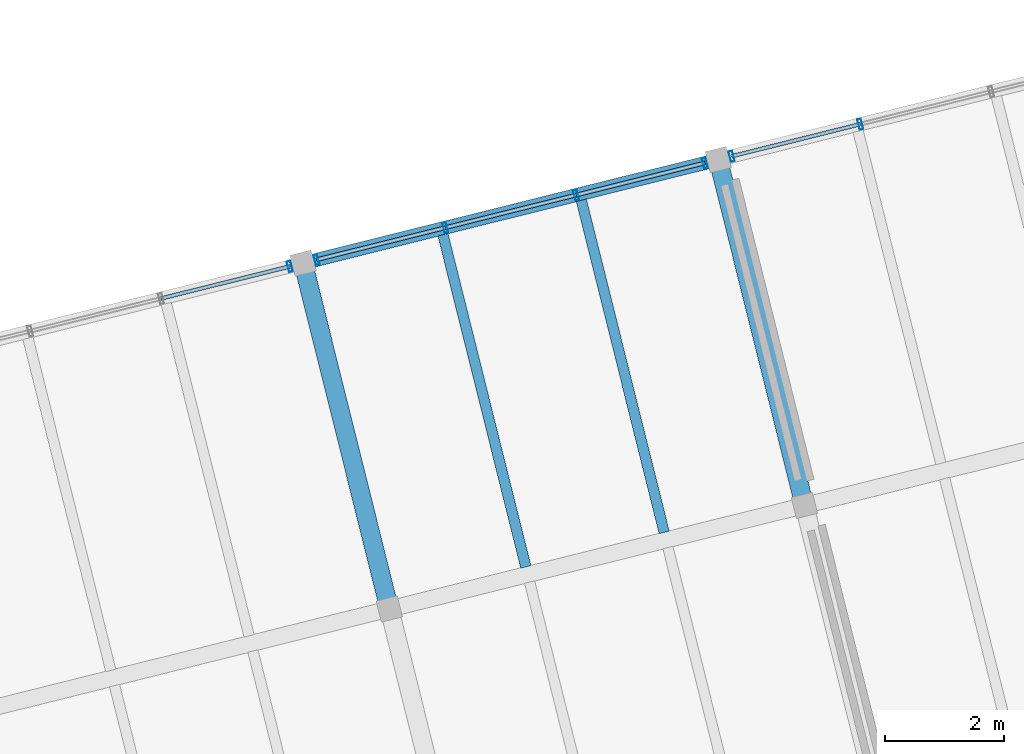
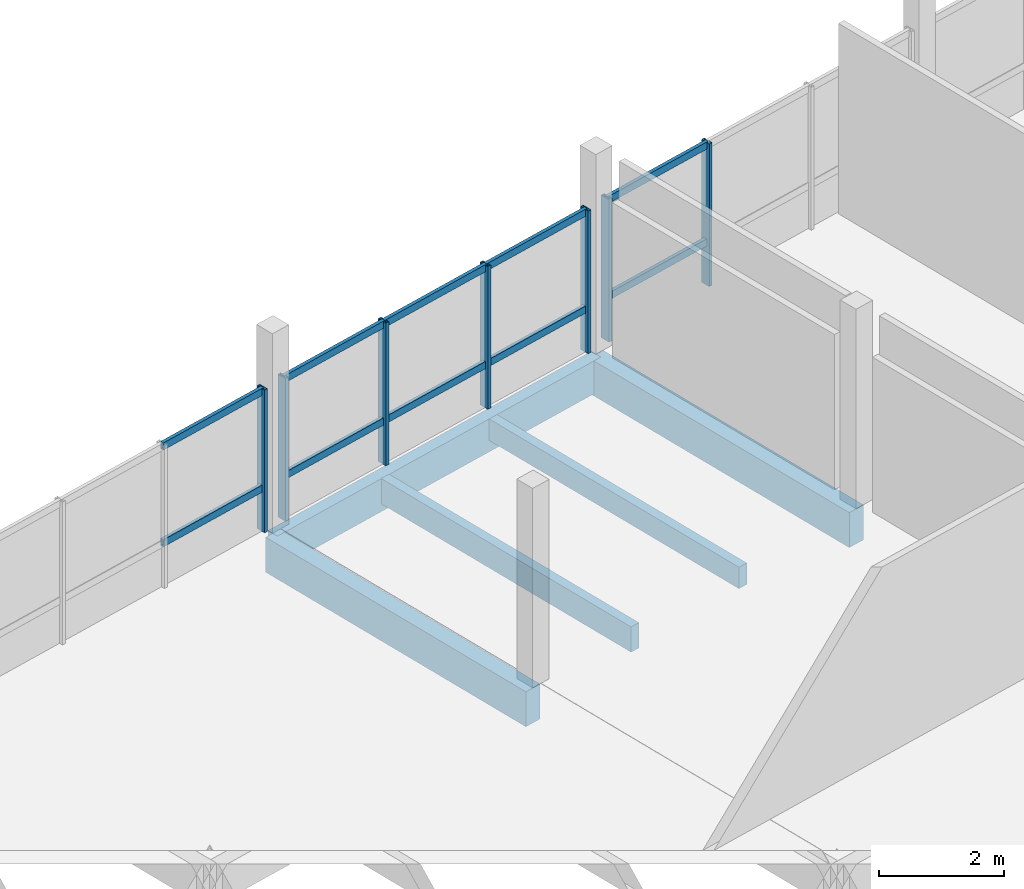
# One storey, part 18 of 28: 17 members, 5 beams, 3 elements without a shape of their own.
"""IFC4 building model written with IfcOpenShell, lengths in metres."""

from ifc_helpers import new_model, si_unit, direction, frame, origin, origin_2d, place, context, subcontext, project, spatial, rectangle, hollow_rectangle, extrude, material, layer, layer_set, material_profile, profile_set, type_object, element, aggregate, save


model = new_model("IFC4")

# Units and contexts
model_context = context("Model", 3, precision=1e-05, world=origin(), true_north=direction((0.0, 1.0)))
body_context = subcontext(model_context, "Body", "Model", "MODEL_VIEW")
ifc_project = project(units=[si_unit("LENGTHUNIT", "METRE"), si_unit("AREAUNIT", "SQUARE_METRE"), si_unit("VOLUMEUNIT", "CUBIC_METRE"), si_unit("PLANEANGLEUNIT", "RADIAN"), si_unit("MASSUNIT", "GRAM", prefix="KILO")], contexts=[model_context])

# Site, building, storey
site_placement = place(None, origin())
site = spatial("IfcSite", under=ifc_project, at=site_placement, CompositionType="ELEMENT")
building_placement = place(site_placement, origin())
building = spatial("IfcBuilding", under=site, at=building_placement, Name="Meriwether Solvik Hall", CompositionType="ELEMENT")
storey_placement = place(building_placement, frame((0.0, 0.0, 37.800048828125)))
storey = spatial("IfcBuildingStorey", under=building, at=storey_placement, Name="L09", CompositionType="ELEMENT", Elevation=37.800048828125)

# Beams
ifc_material_1 = material(Name="Glulam Douglas-Fir 24F-V8 GL28h", Category="wood")
ifc_material_profile_1 = material_profile(ifc_material_1, rectangle(XDim=0.221923828125, YDim=0.64501953125, at=origin_2d()), Name="GLB-222X645")
ifc_profile_set_1 = profile_set([ifc_material_profile_1], Name="Glulam Douglas-Fir 24F-V8 GL28h")
beam_type_1 = type_object("IfcBeamType", Name="BM-GL-222X645", PredefinedType="SPANDREL", material=ifc_profile_set_1)
beam_1_placement = place(storey_placement, frame((74.735107421875, 77.7705078125, -0.50244140625), z_axis=(0.970291911955, 0.241937193493, 0.0), x_axis=(-0.241937193493, 0.970291911955, 0.0)))
element("IfcBeam", 1, at=beam_1_placement, inside=storey, type_object=beam_type_1, Name="Tower Girder TF:T3-T4 (L09)", PredefinedType="SPANDREL", context=body_context, shape_type="SweptSolid", body=[
    extrude(rectangle(XDim=0.221923828125, YDim=0.64501953125, at=origin_2d()), origin(), (0.0, 0.0, 1.0), 7.199951171875),
])
ifc_material_2 = material(Name="Glulam Douglas-Fir 24F-V8 GL28h", Category="wood")
ifc_material_profile_2 = material_profile(ifc_material_2, rectangle(XDim=0.31494140625, YDim=0.68505859375, at=origin_2d()), Name="GLB-315X685")
ifc_profile_set_2 = profile_set([ifc_material_profile_2], Name="Glulam Douglas-Fir 24F-V8 GL28h")
beam_type_2 = type_object("IfcBeamType", Name="BM-GL-315X685", PredefinedType="BEAM", material=ifc_profile_set_2)
for number, where, z_axis, x_axis, name in (
    (2, (76.1865234375, 71.94873046875, -0.5224609375), (-0.241903677572, 0.970300268359, 0.0), (-0.970300268359, -0.241903677572, 0.0), "Tower Girder T3:TE-TF (L09)"),
    (3, (83.172607421875, 73.690673828125, -0.5224609375), (-0.241903677572, 0.970300268359, 0.0), (-0.970300268359, -0.241903677572, 0.0), "Tower Girder T4:TE-TF (L09)"),
):
    element("IfcBeam", number, at=place(storey_placement, frame(where, z_axis=z_axis, x_axis=x_axis)), inside=storey, type_object=beam_type_2, Name=name, PredefinedType="BEAM", context=body_context, shape_type="SweptSolid", body=[
        extrude(rectangle(XDim=0.31494140625, YDim=0.68505859375, at=origin_2d()), origin(), (0.0, 0.0, 1.0), 6.0),
    ])

# Curtain wall, member
ifc_material_3 = material(Name="Thermally Broken Anodised Aluminium 6063-T6 and Low-E Glass", Category="aluminium")
ifc_layer_1 = layer(ifc_material_3, 0.179931640625)
ifc_layer_set_1 = layer_set([ifc_layer_1], Name="Thermally Broken Anodised Aluminium 6063-T6 and Low-E Glass")
curtain_wall_type_1 = type_object("IfcCurtainWallType", Name="CW-UNIT-G", PredefinedType="USERDEFINED", material=ifc_layer_set_1)
curtain_wall_1_placement = place(storey_placement, origin())
curtain_wall_1 = element("IfcCurtainWall", 4, at=curtain_wall_1_placement, inside=storey, type_object=curtain_wall_type_1, Name="Curtain Wall E6_B1 (L09)", ObjectType="UNITISED CURTAIN WALL", PredefinedType="USERDEFINED")
ifc_material_4 = material(Name="Anodised Aluminium 6063-T6", Category="aluminium")
ifc_material_profile_3 = material_profile(ifc_material_4, hollow_rectangle(XDim=0.06494140625, YDim=0.179931640625, WallThickness=0.00439453125, at=origin_2d()), Name="CWM-65X180")
ifc_profile_set_3 = profile_set([ifc_material_profile_3], Name="Anodised Aluminium 6063-T6")
member_type_1 = type_object("IfcMemberType", Name="CW-MUL-65X180", PredefinedType="MULLION", material=ifc_profile_set_3)
member_1_placement = place(storey_placement, frame((74.509521484375, 77.71435546875, 0.0), z_axis=(0.0, 0.0, 1.0), x_axis=(0.970295725693, 0.241921897937, 0.0)))
member_1 = element("IfcMember", 5, at=member_1_placement, type_object=member_type_1, Name="Curtain Wall Mullion 4", PredefinedType="MULLION", context=body_context, shape_type="SweptSolid", body=[
    extrude(hollow_rectangle(XDim=0.06494140625, YDim=0.179931640625, WallThickness=0.00439453125, at=origin_2d()), origin(), (0.0, 0.0, 1.0), 2.7900390625),
])

# Curtain wall, members
ifc_material_5 = material(Name="Thermally Broken Anodised Aluminium 6063-T6 and Low-E Glass", Category="aluminium")
ifc_layer_2 = layer(ifc_material_5, 0.179931640625)
ifc_layer_set_2 = layer_set([ifc_layer_2], Name="Thermally Broken Anodised Aluminium 6063-T6 and Low-E Glass")
curtain_wall_type_2 = type_object("IfcCurtainWallType", Name="CW-UNIT-A", PredefinedType="USERDEFINED", material=ifc_layer_set_2)
curtain_wall_2_placement = place(storey_placement, origin())
curtain_wall_2 = element("IfcCurtainWall", 6, at=curtain_wall_2_placement, inside=storey, type_object=curtain_wall_type_2, Name="Curtain Wall E6_B2 (L09)", ObjectType="UNITISED CURTAIN WALL", PredefinedType="USERDEFINED")
member_2_placement = place(storey_placement, frame((74.960693359375, 77.82666015625, 0.0), z_axis=(0.0, 0.0, 1.0), x_axis=(0.970295725693, 0.241921897937, 0.0)))
member_2 = element("IfcMember", 7, at=member_2_placement, type_object=member_type_1, Name="Curtain Wall Mullion 1", PredefinedType="MULLION", context=body_context, shape_type="SweptSolid", body=[
    extrude(hollow_rectangle(XDim=0.06494140625, YDim=0.179931640625, WallThickness=0.00439453125, at=origin_2d()), origin(), (0.0, 0.0, 1.0), 2.7900390625),
])
member_3_placement = place(storey_placement, frame((77.126708984375, 78.36669921875, 0.0), z_axis=(0.0, 0.0, 1.0), x_axis=(0.970295725693, 0.241921897937, 0.0)))
member_3 = element("IfcMember", 8, at=member_3_placement, type_object=member_type_1, Name="Curtain Wall Mullion 2", PredefinedType="MULLION", context=body_context, shape_type="SweptSolid", body=[
    extrude(hollow_rectangle(XDim=0.06494140625, YDim=0.179931640625, WallThickness=0.00439453125, at=origin_2d()), origin(), (0.0, 0.0, 1.0), 2.7900390625),
])
member_4_placement = place(storey_placement, frame((79.32958984375, 78.916015625, 0.0), z_axis=(0.0, 0.0, 1.0), x_axis=(0.970295725693, 0.241921897937, 0.0)))
member_4 = element("IfcMember", 9, at=member_4_placement, type_object=member_type_1, Name="Curtain Wall Mullion 3", PredefinedType="MULLION", context=body_context, shape_type="SweptSolid", body=[
    extrude(hollow_rectangle(XDim=0.06494140625, YDim=0.179931640625, WallThickness=0.00439453125, at=origin_2d()), origin(), (0.0, 0.0, 1.0), 2.7900390625),
])
member_5_placement = place(storey_placement, frame((81.49560546875, 79.4560546875, 0.0), z_axis=(0.0, 0.0, 1.0), x_axis=(0.970295725693, 0.241921897937, 0.0)))
member_5 = element("IfcMember", 10, at=member_5_placement, type_object=member_type_1, Name="Curtain Wall Mullion 4", PredefinedType="MULLION", context=body_context, shape_type="SweptSolid", body=[
    extrude(hollow_rectangle(XDim=0.06494140625, YDim=0.179931640625, WallThickness=0.00439453125, at=origin_2d()), origin(), (0.0, 0.0, 1.0), 2.7900390625),
])

ifc_material_6 = material(Name="Thermally Broken Anodised Aluminium 6063-T6 and Low-E Glass", Category="aluminium")
ifc_layer_3 = layer(ifc_material_6, 0.179931640625)
ifc_layer_set_3 = layer_set([ifc_layer_3], Name="Thermally Broken Anodised Aluminium 6063-T6 and Low-E Glass")
curtain_wall_type_3 = type_object("IfcCurtainWallType", Name="CW-UNIT-B", PredefinedType="USERDEFINED", material=ifc_layer_set_3)
curtain_wall_3_placement = place(storey_placement, origin())
curtain_wall_3 = element("IfcCurtainWall", 11, at=curtain_wall_3_placement, inside=storey, type_object=curtain_wall_type_3, Name="Curtain Wall E6_B3 (L09)", ObjectType="UNITISED CURTAIN WALL", PredefinedType="USERDEFINED")
member_6_placement = place(storey_placement, frame((81.94677734375, 79.568603515625, 0.0), z_axis=(0.0, 0.0, 1.0), x_axis=(0.970295725693, 0.241921897937, 0.0)))
member_6 = element("IfcMember", 12, at=member_6_placement, type_object=member_type_1, Name="Curtain Wall Mullion 1", PredefinedType="MULLION", context=body_context, shape_type="SweptSolid", body=[
    extrude(hollow_rectangle(XDim=0.06494140625, YDim=0.179931640625, WallThickness=0.00439453125, at=origin_2d()), origin(), (0.0, 0.0, 1.0), 2.7900390625),
])
member_7_placement = place(storey_placement, frame((84.11279296875, 80.108642578125, 0.0), z_axis=(0.0, 0.0, 1.0), x_axis=(0.970295725693, 0.241921897937, 0.0)))
member_7 = element("IfcMember", 13, at=member_7_placement, type_object=member_type_1, Name="Curtain Wall Mullion 2", PredefinedType="MULLION", context=body_context, shape_type="SweptSolid", body=[
    extrude(hollow_rectangle(XDim=0.06494140625, YDim=0.179931640625, WallThickness=0.00439453125, at=origin_2d()), origin(), (0.0, 0.0, 1.0), 2.7900390625),
])

# Member
ifc_material_7 = material(Name="Anodised Aluminium 6063-T6", Category="aluminium")
ifc_material_profile_4 = material_profile(ifc_material_7, hollow_rectangle(XDim=0.06494140625, YDim=0.139892578125, WallThickness=0.00439453125, at=origin_2d()), Name="CWT-65X140")
ifc_profile_set_4 = profile_set([ifc_material_profile_4], Name="Anodised Aluminium 6063-T6")
member_type_2 = type_object("IfcMemberType", Name="CW-TRN-65X140", PredefinedType="USERDEFINED", material=ifc_profile_set_4)
member_8_placement = place(storey_placement, frame((72.343505859375, 77.17431640625, 0.8369140625), z_axis=(0.970296702868, 0.241917978668, 0.0), x_axis=(-0.241917978668, 0.970296702868, 0.0)))
member_8 = element("IfcMember", 14, at=member_8_placement, type_object=member_type_2, Name="Curtain Wall Transom 3-sill", ObjectType="TRANSOM", PredefinedType="USERDEFINED", context=body_context, shape_type="SweptSolid", body=[
    extrude(hollow_rectangle(XDim=0.06494140625, YDim=0.139892578125, WallThickness=0.00439453125, at=origin_2d()), origin(), (0.0, 0.0, 1.0), 2.232421875),
])

member_9_placement = place(storey_placement, frame((72.343505859375, 77.17431640625, 2.72998046875), z_axis=(0.970296702868, 0.241917978668, 0.0), x_axis=(-0.241917978668, 0.970296702868, 0.0)))
member_9 = element("IfcMember", 15, at=member_9_placement, type_object=member_type_2, Name="Curtain Wall Transom 3-head", ObjectType="TRANSOM", PredefinedType="USERDEFINED", context=body_context, shape_type="SweptSolid", body=[
    extrude(hollow_rectangle(XDim=0.06494140625, YDim=0.139892578125, WallThickness=0.00439453125, at=origin_2d()), origin(), (0.0, 0.0, 1.0), 2.232421875),
])

aggregate(curtain_wall_1, [member_1, member_8, member_9])

member_10_placement = place(storey_placement, frame((74.960693359375, 77.82666015625, 0.8369140625), z_axis=(0.970296702868, 0.241917978668, 0.0), x_axis=(-0.241917978668, 0.970296702868, 0.0)))
member_10 = element("IfcMember", 16, at=member_10_placement, type_object=member_type_2, Name="Curtain Wall Transom 1-sill", ObjectType="TRANSOM", PredefinedType="USERDEFINED", context=body_context, shape_type="SweptSolid", body=[
    extrude(hollow_rectangle(XDim=0.06494140625, YDim=0.139892578125, WallThickness=0.00439453125, at=origin_2d()), origin(), (0.0, 0.0, 1.0), 2.232421875),
])

member_11_placement = place(storey_placement, frame((74.960693359375, 77.82666015625, 2.72998046875), z_axis=(0.970296702868, 0.241917978668, 0.0), x_axis=(-0.241917978668, 0.970296702868, 0.0)))
member_11 = element("IfcMember", 17, at=member_11_placement, type_object=member_type_2, Name="Curtain Wall Transom 1-head", ObjectType="TRANSOM", PredefinedType="USERDEFINED", context=body_context, shape_type="SweptSolid", body=[
    extrude(hollow_rectangle(XDim=0.06494140625, YDim=0.139892578125, WallThickness=0.00439453125, at=origin_2d()), origin(), (0.0, 0.0, 1.0), 2.232421875),
])

member_12_placement = place(storey_placement, frame((77.126708984375, 78.36669921875, 0.8369140625), z_axis=(0.970287814054, 0.241953627576, 0.0), x_axis=(-0.241953627576, 0.970287814054, 0.0)))
member_12 = element("IfcMember", 18, at=member_12_placement, type_object=member_type_2, Name="Curtain Wall Transom 2-sill", ObjectType="TRANSOM", PredefinedType="USERDEFINED", context=body_context, shape_type="SweptSolid", body=[
    extrude(hollow_rectangle(XDim=0.06494140625, YDim=0.139892578125, WallThickness=0.00439453125, at=origin_2d()), origin(), (0.0, 0.0, 1.0), 2.270263671875),
])

member_13_placement = place(storey_placement, frame((77.126708984375, 78.36669921875, 2.72998046875), z_axis=(0.970287814054, 0.241953627576, 0.0), x_axis=(-0.241953627576, 0.970287814054, 0.0)))
member_13 = element("IfcMember", 19, at=member_13_placement, type_object=member_type_2, Name="Curtain Wall Transom 2-head", ObjectType="TRANSOM", PredefinedType="USERDEFINED", context=body_context, shape_type="SweptSolid", body=[
    extrude(hollow_rectangle(XDim=0.06494140625, YDim=0.139892578125, WallThickness=0.00439453125, at=origin_2d()), origin(), (0.0, 0.0, 1.0), 2.270263671875),
])

member_14_placement = place(storey_placement, frame((79.32958984375, 78.916015625, 0.8369140625), z_axis=(0.970296702868, 0.241917978668, 0.0), x_axis=(-0.241917978668, 0.970296702868, 0.0)))
member_14 = element("IfcMember", 20, at=member_14_placement, type_object=member_type_2, Name="Curtain Wall Transom 3-sill", ObjectType="TRANSOM", PredefinedType="USERDEFINED", context=body_context, shape_type="SweptSolid", body=[
    extrude(hollow_rectangle(XDim=0.06494140625, YDim=0.139892578125, WallThickness=0.00439453125, at=origin_2d()), origin(), (0.0, 0.0, 1.0), 2.232421875),
])

member_15_placement = place(storey_placement, frame((79.32958984375, 78.916015625, 2.72998046875), z_axis=(0.970296702868, 0.241917978668, 0.0), x_axis=(-0.241917978668, 0.970296702868, 0.0)))
member_15 = element("IfcMember", 21, at=member_15_placement, type_object=member_type_2, Name="Curtain Wall Transom 3-head", ObjectType="TRANSOM", PredefinedType="USERDEFINED", context=body_context, shape_type="SweptSolid", body=[
    extrude(hollow_rectangle(XDim=0.06494140625, YDim=0.139892578125, WallThickness=0.00439453125, at=origin_2d()), origin(), (0.0, 0.0, 1.0), 2.232421875),
])

aggregate(curtain_wall_2, [member_2, member_3, member_4, member_5, member_10, member_11, member_12, member_13, member_14, member_15])

member_16_placement = place(storey_placement, frame((81.94677734375, 79.568603515625, 0.8369140625), z_axis=(0.970296702868, 0.241917978668, 0.0), x_axis=(-0.241917978668, 0.970296702868, 0.0)))
member_16 = element("IfcMember", 22, at=member_16_placement, type_object=member_type_2, Name="Curtain Wall Transom 1-sill", ObjectType="TRANSOM", PredefinedType="USERDEFINED", context=body_context, shape_type="SweptSolid", body=[
    extrude(hollow_rectangle(XDim=0.06494140625, YDim=0.139892578125, WallThickness=0.00439453125, at=origin_2d()), origin(), (0.0, 0.0, 1.0), 2.232421875),
])

member_17_placement = place(storey_placement, frame((81.94677734375, 79.568603515625, 2.72998046875), z_axis=(0.970296702868, 0.241917978668, 0.0), x_axis=(-0.241917978668, 0.970296702868, 0.0)))
member_17 = element("IfcMember", 23, at=member_17_placement, type_object=member_type_2, Name="Curtain Wall Transom 1-head", ObjectType="TRANSOM", PredefinedType="USERDEFINED", context=body_context, shape_type="SweptSolid", body=[
    extrude(hollow_rectangle(XDim=0.06494140625, YDim=0.139892578125, WallThickness=0.00439453125, at=origin_2d()), origin(), (0.0, 0.0, 1.0), 2.232421875),
])

aggregate(curtain_wall_3, [member_6, member_7, member_16, member_17])

# Beams
ifc_material_8 = material(Name="Glulam Douglas-Fir 24F-V8 GL28h", Category="wood")
ifc_material_profile_5 = material_profile(ifc_material_8, rectangle(XDim=0.175048828125, YDim=0.419921875, at=origin_2d()), Name="GLJ-175X420")
ifc_profile_set_5 = profile_set([ifc_material_profile_5], Name="Glulam Douglas-Fir 24F-V8 GL28h")
beam_type_3 = type_object("IfcBeamType", Name="JST-GL-175X420", PredefinedType="JOIST", material=ifc_profile_set_5)
beam_2_placement = place(storey_placement, frame((80.812255859375, 73.237548828125, -0.39013671875), z_axis=(-0.241917511092, 0.970296819446, 0.0), x_axis=(-0.970296819446, -0.241917511092, 0.0)))
element("IfcBeam", 24, at=beam_2_placement, inside=storey, type_object=beam_type_3, Name="Glulam Floor Joist T3/TE-J2 (L09)", PredefinedType="JOIST", context=body_context, shape_type="SweptSolid", body=[
    extrude(rectangle(XDim=0.175048828125, YDim=0.419921875, at=origin_2d()), origin(), (0.0, 0.0, 1.0), 5.762451171875),
])
ifc_material_9 = material(Name="Glulam Douglas-Fir 24F-V8 GL28h", Category="wood")
ifc_material_profile_6 = material_profile(ifc_material_9, rectangle(XDim=0.175048828125, YDim=0.4951171875, at=origin_2d()), Name="GLJ-175X495")
ifc_profile_set_6 = profile_set([ifc_material_profile_6], Name="Glulam Douglas-Fir 24F-V8 GL28h")
beam_type_4 = type_object("IfcBeamType", Name="JST-GL-175X495", PredefinedType="JOIST", material=ifc_profile_set_6)
beam_3_placement = place(storey_placement, frame((78.4833984375, 72.656982421875, -0.427490234375), z_axis=(-0.241917511092, 0.970296819446, 0.0), x_axis=(-0.970296819446, -0.241917511092, 0.0)))
element("IfcBeam", 25, at=beam_3_placement, inside=storey, type_object=beam_type_4, Name="Glulam Floor Joist T3/TE-J1 (L09)", PredefinedType="JOIST", context=body_context, shape_type="SweptSolid", body=[
    extrude(rectangle(XDim=0.175048828125, YDim=0.4951171875, at=origin_2d()), origin(), (0.0, 0.0, 1.0), 5.762451171875),
])

save(model, "model.ifc")
